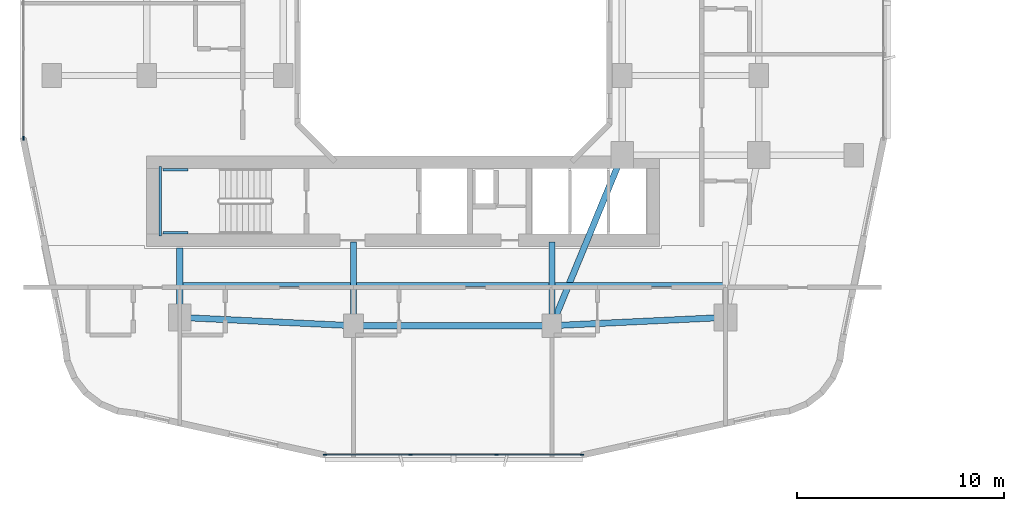
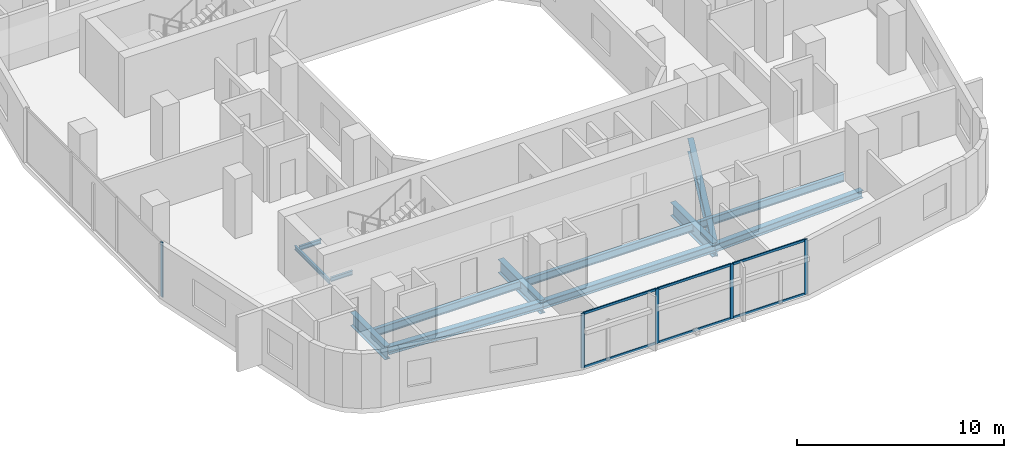
# One storey, part 2 of 27: 13 beams, 11 members, 2 elements without a shape of their own.
"""IFC4 building model written with IfcOpenShell, lengths in metres."""

from ifc_helpers import new_model, si_unit, derived_unit, direction, frame, origin, origin_2d, place, context, subcontext, project, spatial, rectangle, i_section, extrude, material, layer, layer_set, material_profile, profile_set, type_object, element, aggregate, save


model = new_model("IFC4")

# Units and contexts
model_context = context("Model", 3, precision=1e-05, world=origin(), true_north=direction((0.0, 1.0)))
body_context = subcontext(model_context, "Body", "Model", "MODEL_VIEW")
ifc_project = project(units=[si_unit("LENGTHUNIT", "METRE"), si_unit("AREAUNIT", "SQUARE_METRE"), si_unit("VOLUMEUNIT", "CUBIC_METRE"), si_unit("PLANEANGLEUNIT", "RADIAN"), si_unit("MASSUNIT", "GRAM", prefix="KILO"), derived_unit("THERMALTRANSMITTANCEUNIT", [(si_unit("POWERUNIT", "WATT"), 1), (si_unit("LENGTHUNIT", "METRE"), -2), (si_unit("THERMODYNAMICTEMPERATUREUNIT", "KELVIN"), -1)])], contexts=[model_context])

# Site, building, storey
site_placement = place(None, origin())
site = spatial("IfcSite", under=ifc_project, at=site_placement, CompositionType="ELEMENT")
building_placement = place(site_placement, origin())
building = spatial("IfcBuilding", under=site, at=building_placement, Name="Kivonza Crest Hotel", CompositionType="ELEMENT")
storey_placement = place(building_placement, frame((0.0, 0.0, 31.0)))
storey = spatial("IfcBuildingStorey", under=building, at=storey_placement, Name="L07", CompositionType="ELEMENT", Elevation=31.0)

# Beams
ifc_material_1 = material(Name="Steel S355", Category="steel")
ifc_material_profile_1 = material_profile(ifc_material_1, i_section(OverallWidth=0.300048828125, OverallDepth=0.449951171875, WebThickness=0.013916015625, FlangeThickness=0.02587890625, FilletRadius=0.027099609375, at=origin_2d()), Name="HEB 450")
ifc_profile_set_1 = profile_set([ifc_material_profile_1], Name="Steel S355")
beam_type_1 = type_object("IfcBeamType", Name="BM-HEB450", PredefinedType="SPANDREL", material=ifc_profile_set_1)
beam_1_placement = place(storey_placement, frame((16.199951171875, 9.39990234375, -0.5048828125), z_axis=(1.0, 0.0, 0.0), x_axis=(0.0, 1.0, 0.0)))
element("IfcBeam", 1, at=beam_1_placement, inside=storey, type_object=beam_type_1, Name="Tower T1 L07 perimeter spandrel S1-S2", PredefinedType="SPANDREL", context=body_context, shape_type="SweptSolid", body=[
    extrude(i_section(OverallWidth=0.300048828125, OverallDepth=0.449951171875, WebThickness=0.013916015625, FlangeThickness=0.02587890625, FilletRadius=0.027099609375, at=origin_2d()), origin(), (0.0, 0.0, 1.0), 9.60009765625),
])
for number, where, z_axis, x_axis, name in (
    (2, (25.800048828125, 9.39990234375, -0.5048828125), (0.998867283688, 0.047583080799, 0.0), (-0.047583080799, 0.998867283688, 0.0), "Tower T1 L07 perimeter spandrel S2-SE"),
    (3, (7.800048828125, 9.800048828125, -0.5048828125), (0.998867283688, -0.047583080799, 0.0), (0.047583080799, 0.998867283688, 0.0), "Tower T1 L07 perimeter spandrel SW-S1"),
):
    element("IfcBeam", number, at=place(storey_placement, frame(where, z_axis=z_axis, x_axis=x_axis)), inside=storey, type_object=beam_type_1, Name=name, PredefinedType="SPANDREL", context=body_context, shape_type="SweptSolid", body=[
        extrude(i_section(OverallWidth=0.300048828125, OverallDepth=0.449951171875, WebThickness=0.013916015625, FlangeThickness=0.02587890625, FilletRadius=0.027099609375, at=origin_2d()), origin(), (0.0, 0.0, 1.0), 8.409423828125),
    ])
ifc_material_profile_2 = material_profile(ifc_material_1, i_section(OverallWidth=0.300048828125, OverallDepth=0.800048828125, WebThickness=0.017578125, FlangeThickness=0.032958984375, FilletRadius=0.030029296875, at=origin_2d()), Name="HEB 800")
ifc_profile_set_2 = profile_set([ifc_material_profile_2], Name="Steel S355")
beam_type_2 = type_object("IfcBeamType", Name="BM-HEB800", PredefinedType="BEAM", material=ifc_profile_set_2)
beam_2_placement = place(storey_placement, frame((25.800048828125, 9.39990234375, -0.679931640625), z_axis=(0.381022260404, 0.924565864109, 0.0), x_axis=(-0.924565864109, 0.381022260404, 0.0)))
element("IfcBeam", 4, at=beam_2_placement, inside=storey, type_object=beam_type_2, Name="Tower T1 L07 primary girder S1-TSE", PredefinedType="BEAM", context=body_context, shape_type="SweptSolid", body=[
    extrude(i_section(OverallWidth=0.300048828125, OverallDepth=0.800048828125, WebThickness=0.017578125, FlangeThickness=0.032958984375, FilletRadius=0.030029296875, at=origin_2d()), origin(), (0.0, 0.0, 1.0), 8.923095703125),
])
beam_3_placement = place(storey_placement, frame((7.800048828125, 9.800048828125, -0.679931640625), z_axis=(0.0, 1.0, 0.0), x_axis=(-1.0, 0.0, 0.0)))
element("IfcBeam", 5, at=beam_3_placement, inside=storey, type_object=beam_type_2, Name="Tower T1 L07 radial core girder RSW", PredefinedType="BEAM", context=body_context, shape_type="SweptSolid", body=[
    extrude(i_section(OverallWidth=0.300048828125, OverallDepth=0.800048828125, WebThickness=0.017578125, FlangeThickness=0.032958984375, FilletRadius=0.030029296875, at=origin_2d()), origin(), (0.0, 0.0, 1.0), 3.349853515625),
])
for number, where, z_axis, x_axis, name in (
    (6, (16.199951171875, 9.39990234375, -0.679931640625), (0.0, 1.0, 0.0), (-1.0, 0.0, 0.0), "Tower T1 L07 radial core girder RS1"),
    (7, (25.800048828125, 9.39990234375, -0.679931640625), (0.0, 1.0, 0.0), (-1.0, 0.0, 0.0), "Tower T1 L07 radial core girder RS2"),
):
    element("IfcBeam", number, at=place(storey_placement, frame(where, z_axis=z_axis, x_axis=x_axis)), inside=storey, type_object=beam_type_2, Name=name, PredefinedType="BEAM", context=body_context, shape_type="SweptSolid", body=[
        extrude(i_section(OverallWidth=0.300048828125, OverallDepth=0.800048828125, WebThickness=0.017578125, FlangeThickness=0.032958984375, FilletRadius=0.030029296875, at=origin_2d()), origin(), (0.0, 0.0, 1.0), 4.050048828125),
    ])
ifc_material_profile_3 = material_profile(ifc_material_1, i_section(OverallWidth=0.18994140625, OverallDepth=0.449951171875, WebThickness=0.009521484375, FlangeThickness=0.0146484375, FilletRadius=0.02099609375, at=origin_2d()), Name="IPE 450")
ifc_profile_set_3 = profile_set([ifc_material_profile_3], Name="Steel S355")
beam_type_3 = type_object("IfcBeamType", Name="BM-IPE450", PredefinedType="JOIST", material=ifc_profile_set_3)
beam_4_placement = place(storey_placement, frame((7.8798828125, 11.39990234375, -0.5048828125), z_axis=(1.0, 0.0, 0.0), x_axis=(0.0, 1.0, 0.0)))
element("IfcBeam", 8, at=beam_4_placement, inside=storey, type_object=beam_type_3, Name="Tower T1 L07 South-West floor joist", PredefinedType="JOIST", context=body_context, shape_type="SweptSolid", body=[
    extrude(i_section(OverallWidth=0.18994140625, OverallDepth=0.449951171875, WebThickness=0.009521484375, FlangeThickness=0.0146484375, FilletRadius=0.02099609375, at=origin_2d()), origin(), (0.0, 0.0, 1.0), 8.240234375),
])
beam_5_placement = place(storey_placement, frame((16.280029296875, 11.39990234375, -0.5048828125), z_axis=(1.0, 0.0, 0.0), x_axis=(0.0, 1.0, 0.0)))
element("IfcBeam", 9, at=beam_5_placement, inside=storey, type_object=beam_type_3, Name="Tower T1 L07 South-Mid floor joist", PredefinedType="JOIST", context=body_context, shape_type="SweptSolid", body=[
    extrude(i_section(OverallWidth=0.18994140625, OverallDepth=0.449951171875, WebThickness=0.009521484375, FlangeThickness=0.0146484375, FilletRadius=0.02099609375, at=origin_2d()), origin(), (0.0, 0.0, 1.0), 9.43994140625),
])
beam_6_placement = place(storey_placement, frame((25.8798828125, 11.39990234375, -0.5048828125), z_axis=(1.0, 0.0, 0.0), x_axis=(0.0, 1.0, 0.0)))
element("IfcBeam", 10, at=beam_6_placement, inside=storey, type_object=beam_type_3, Name="Tower T1 L07 South-East floor joist", PredefinedType="JOIST", context=body_context, shape_type="SweptSolid", body=[
    extrude(i_section(OverallWidth=0.18994140625, OverallDepth=0.449951171875, WebThickness=0.009521484375, FlangeThickness=0.0146484375, FilletRadius=0.02099609375, at=origin_2d()), origin(), (0.0, 0.0, 1.0), 8.240234375),
])
ifc_material_profile_4 = material_profile(ifc_material_1, i_section(OverallWidth=0.1201171875, OverallDepth=0.239990234375, WebThickness=0.006103515625, FlangeThickness=0.009765625, FilletRadius=0.014892578125, at=origin_2d()), Name="IPE 240")
ifc_profile_set_4 = profile_set([ifc_material_profile_4], Name="Steel S355")
beam_type_4 = type_object("IfcBeamType", Name="BM-LLDG-240", PredefinedType="BEAM", material=ifc_profile_set_4)
beam_7_placement = place(storey_placement, frame((6.860107421875, 13.739990234375, 1.429931640625), z_axis=(0.0, 1.0, 0.0), x_axis=(-1.0, 0.0, 0.0)))
element("IfcBeam", 11, at=beam_7_placement, inside=storey, type_object=beam_type_4, Name="Stair ST-T1-S L07 West landing corbel", PredefinedType="BEAM", context=body_context, shape_type="SweptSolid", body=[
    extrude(i_section(OverallWidth=0.1201171875, OverallDepth=0.239990234375, WebThickness=0.006103515625, FlangeThickness=0.009765625, FilletRadius=0.014892578125, at=origin_2d()), origin(), (0.0, 0.0, 1.0), 3.360107421875),
])
for number, where, z_axis, x_axis, name in (
    (12, (6.989990234375, 13.89990234375, 1.429931640625), (1.0, 0.0, 0.0), (0.0, 1.0, 0.0), "Stair ST-T1-S L07 South landing corbel"),
    (13, (6.989990234375, 16.93994140625, 1.429931640625), (1.0, 0.0, 0.0), (0.0, 1.0, 0.0), "Stair ST-T1-S L07 North landing corbel"),
):
    element("IfcBeam", number, at=place(storey_placement, frame(where, z_axis=z_axis, x_axis=x_axis)), inside=storey, type_object=beam_type_4, Name=name, PredefinedType="BEAM", context=body_context, shape_type="SweptSolid", body=[
        extrude(i_section(OverallWidth=0.1201171875, OverallDepth=0.239990234375, WebThickness=0.006103515625, FlangeThickness=0.009765625, FilletRadius=0.014892578125, at=origin_2d()), origin(), (0.0, 0.0, 1.0), 1.2099609375),
    ])

# Curtain wall, members
ifc_material_2 = material(Name="Anodised bronze aluminium and low-E double glazing", Category="aluminium")
ifc_layer = layer(ifc_material_2, 0.179931640625)
ifc_layer_set = layer_set([ifc_layer], Name="Anodised bronze aluminium and low-E double glazing")
curtain_wall_type = type_object("IfcCurtainWallType", Name="CW-SYS-2", PredefinedType="NOTDEFINED", material=ifc_layer_set)
curtain_wall_1_placement = place(storey_placement, origin())
curtain_wall_1 = element("IfcCurtainWall", 14, at=curtain_wall_1_placement, inside=storey, type_object=curtain_wall_type, Name="L07 unitised curtain wall CW-T1-L07-08", PredefinedType="NOTDEFINED")
ifc_material_3 = material(Name="Anodised bronze aluminium", Category="aluminium")
ifc_material_profile_5 = material_profile(ifc_material_3, rectangle(XDim=0.06494140625, YDim=0.179931640625, at=origin_2d()), Name="CW-M 65x180")
ifc_profile_set_5 = profile_set([ifc_material_profile_5], Name="Anodised bronze aluminium")
member_type_1 = type_object("IfcMemberType", Name="CW-MUL-65x180", PredefinedType="MULLION", material=ifc_profile_set_5)
member_1_placement = place(storey_placement, frame((14.824462890625, 3.159912109375, 0.0), z_axis=(0.0, 0.0, 1.0), x_axis=(0.0, 1.0, 0.0)))
member_1 = element("IfcMember", 15, at=member_1_placement, type_object=member_type_1, Name="CW-2 mullion 1", PredefinedType="MULLION", context=body_context, shape_type="SweptSolid", body=[
    extrude(rectangle(XDim=0.06494140625, YDim=0.179931640625, at=origin_2d()), origin(), (0.0, 0.0, 1.0), 3.219970703125),
])
member_2_placement = place(storey_placement, frame((18.957275390625, 3.159912109375, 0.0), z_axis=(0.0, 0.0, 1.0), x_axis=(0.0, 1.0, 0.0)))
member_2 = element("IfcMember", 16, at=member_2_placement, type_object=member_type_1, Name="CW-2 mullion 2", PredefinedType="MULLION", context=body_context, shape_type="SweptSolid", body=[
    extrude(rectangle(XDim=0.06494140625, YDim=0.179931640625, at=origin_2d()), origin(), (0.0, 0.0, 1.0), 3.219970703125),
])
member_3_placement = place(storey_placement, frame((23.12255859375, 3.159912109375, 0.0), z_axis=(0.0, 0.0, 1.0), x_axis=(0.0, 1.0, 0.0)))
member_3 = element("IfcMember", 17, at=member_3_placement, type_object=member_type_1, Name="CW-2 mullion 3", PredefinedType="MULLION", context=body_context, shape_type="SweptSolid", body=[
    extrude(rectangle(XDim=0.06494140625, YDim=0.179931640625, at=origin_2d()), origin(), (0.0, 0.0, 1.0), 3.219970703125),
])
member_4_placement = place(storey_placement, frame((27.255615234375, 3.159912109375, 0.0), z_axis=(0.0, 0.0, 1.0), x_axis=(0.0, 1.0, 0.0)))
member_4 = element("IfcMember", 18, at=member_4_placement, type_object=member_type_1, Name="CW-2 mullion 4", PredefinedType="MULLION", context=body_context, shape_type="SweptSolid", body=[
    extrude(rectangle(XDim=0.06494140625, YDim=0.179931640625, at=origin_2d()), origin(), (0.0, 0.0, 1.0), 3.219970703125),
])

# Curtain wall, member
curtain_wall_2_placement = place(storey_placement, origin())
curtain_wall_2 = element("IfcCurtainWall", 19, at=curtain_wall_2_placement, inside=storey, type_object=curtain_wall_type, Name="L07 unitised curtain wall CW-T1-L07-35", PredefinedType="NOTDEFINED")
member_5_placement = place(storey_placement, frame((0.239990234375, 18.472412109375, 0.0), z_axis=(0.0, 0.0, 1.0), x_axis=(1.0, 0.0, 0.0)))
member_5 = element("IfcMember", 20, at=member_5_placement, type_object=member_type_1, Name="CW-2 mullion 4", PredefinedType="MULLION", context=body_context, shape_type="SweptSolid", body=[
    extrude(rectangle(XDim=0.06494140625, YDim=0.179931640625, at=origin_2d()), origin(), (0.0, 0.0, 1.0), 3.219970703125),
])
aggregate(curtain_wall_2, [member_5])

# Member
ifc_material_profile_6 = material_profile(ifc_material_3, rectangle(XDim=0.06494140625, YDim=0.139892578125, at=origin_2d()), Name="CW-T 65x140")
ifc_profile_set_6 = profile_set([ifc_material_profile_6], Name="Anodised bronze aluminium")
member_type_2 = type_object("IfcMemberType", Name="CW-TRN-65x140", PredefinedType="USERDEFINED", material=ifc_profile_set_6)
member_6_placement = place(storey_placement, frame((14.85693359375, 3.159912109375, 0.032470703125), z_axis=(1.0, 0.0, 0.0), x_axis=(0.0, 1.0, 0.0)))
member_6 = element("IfcMember", 21, at=member_6_placement, type_object=member_type_2, Name="CW-2 transom 1.1", ObjectType="TRANSOM", PredefinedType="USERDEFINED", context=body_context, shape_type="SweptSolid", body=[
    extrude(rectangle(XDim=0.06494140625, YDim=0.139892578125, at=origin_2d()), origin(), (0.0, 0.0, 1.0), 4.06787109375),
])

member_7_placement = place(storey_placement, frame((14.85693359375, 3.159912109375, 3.1875), z_axis=(1.0, 0.0, 0.0), x_axis=(0.0, 1.0, 0.0)))
member_7 = element("IfcMember", 22, at=member_7_placement, type_object=member_type_2, Name="CW-2 transom 1.2", ObjectType="TRANSOM", PredefinedType="USERDEFINED", context=body_context, shape_type="SweptSolid", body=[
    extrude(rectangle(XDim=0.06494140625, YDim=0.139892578125, at=origin_2d()), origin(), (0.0, 0.0, 1.0), 4.06787109375),
])

member_8_placement = place(storey_placement, frame((18.98974609375, 3.159912109375, 0.032470703125), z_axis=(1.0, 0.0, 0.0), x_axis=(0.0, 1.0, 0.0)))
member_8 = element("IfcMember", 23, at=member_8_placement, type_object=member_type_2, Name="CW-2 transom 2.1", ObjectType="TRANSOM", PredefinedType="USERDEFINED", context=body_context, shape_type="SweptSolid", body=[
    extrude(rectangle(XDim=0.06494140625, YDim=0.139892578125, at=origin_2d()), origin(), (0.0, 0.0, 1.0), 4.100341796875),
])

member_9_placement = place(storey_placement, frame((18.98974609375, 3.159912109375, 3.1875), z_axis=(1.0, 0.0, 0.0), x_axis=(0.0, 1.0, 0.0)))
member_9 = element("IfcMember", 24, at=member_9_placement, type_object=member_type_2, Name="CW-2 transom 2.2", ObjectType="TRANSOM", PredefinedType="USERDEFINED", context=body_context, shape_type="SweptSolid", body=[
    extrude(rectangle(XDim=0.06494140625, YDim=0.139892578125, at=origin_2d()), origin(), (0.0, 0.0, 1.0), 4.100341796875),
])

member_10_placement = place(storey_placement, frame((23.1552734375, 3.159912109375, 0.032470703125), z_axis=(1.0, 0.0, 0.0), x_axis=(0.0, 1.0, 0.0)))
member_10 = element("IfcMember", 25, at=member_10_placement, type_object=member_type_2, Name="CW-2 transom 3.1", ObjectType="TRANSOM", PredefinedType="USERDEFINED", context=body_context, shape_type="SweptSolid", body=[
    extrude(rectangle(XDim=0.06494140625, YDim=0.139892578125, at=origin_2d()), origin(), (0.0, 0.0, 1.0), 4.067626953125),
])

member_11_placement = place(storey_placement, frame((23.1552734375, 3.159912109375, 3.1875), z_axis=(1.0, 0.0, 0.0), x_axis=(0.0, 1.0, 0.0)))
member_11 = element("IfcMember", 26, at=member_11_placement, type_object=member_type_2, Name="CW-2 transom 3.2", ObjectType="TRANSOM", PredefinedType="USERDEFINED", context=body_context, shape_type="SweptSolid", body=[
    extrude(rectangle(XDim=0.06494140625, YDim=0.139892578125, at=origin_2d()), origin(), (0.0, 0.0, 1.0), 4.067626953125),
])

aggregate(curtain_wall_1, [member_1, member_2, member_3, member_4, member_6, member_7, member_8, member_9, member_10, member_11])

save(model, "model.ifc")
